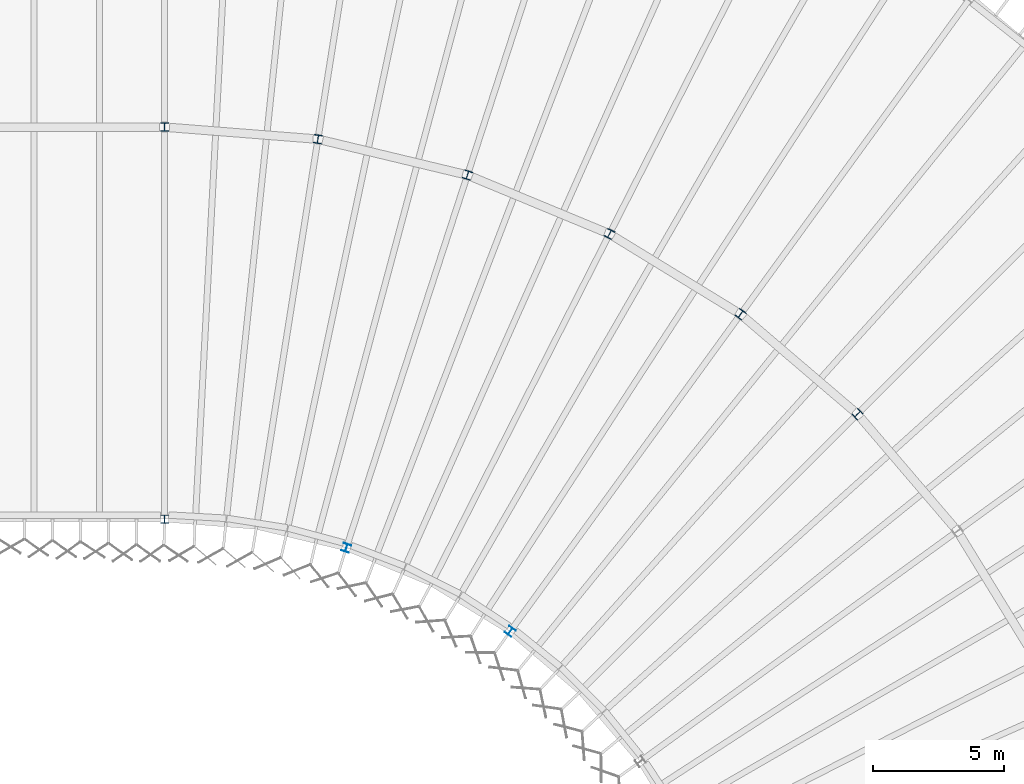
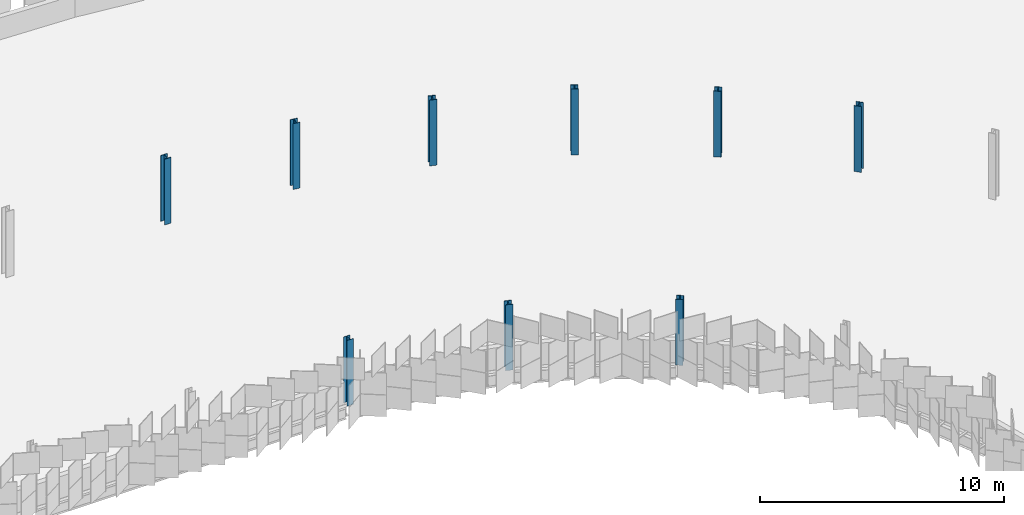
# One storey, part 21 of 198: 9 columns.
"""IFC4 building model written with IfcOpenShell, lengths in metres."""

from ifc_helpers import new_model, si_unit, direction, frame, origin, origin_2d, place, context, subcontext, project, spatial, i_section, extrude, material, material_profile, profile_set, type_object, element, save


model = new_model("IFC4")

# Units and contexts
model_context = context("Model", 3, precision=1e-05, world=origin(), true_north=direction((0.0, 1.0)))
body_context = subcontext(model_context, "Body", "Model", "MODEL_VIEW")
ifc_project = project(units=[si_unit("LENGTHUNIT", "METRE"), si_unit("AREAUNIT", "SQUARE_METRE"), si_unit("VOLUMEUNIT", "CUBIC_METRE"), si_unit("PLANEANGLEUNIT", "RADIAN"), si_unit("MASSUNIT", "GRAM", prefix="KILO")], contexts=[model_context])

# Site, building, storey
site_placement = place(None, origin())
site = spatial("IfcSite", under=ifc_project, at=site_placement, CompositionType="ELEMENT")
building_placement = place(site_placement, origin())
building = spatial("IfcBuilding", under=site, at=building_placement, Name="Parallax Yard Mobility Hub", CompositionType="ELEMENT")
storey_placement = place(building_placement, frame((0.0, 0.0, 6.60009765625)))
storey = spatial("IfcBuildingStorey", under=building, at=storey_placement, Name="L02", CompositionType="ELEMENT", Elevation=6.60009765625)

# Columns
ifc_material = material(Name="Steel ASTM A992", Category="steel")
ifc_material_profile_1 = material_profile(ifc_material, i_section(OverallWidth=0.31005859375, OverallDepth=0.327880859375, WebThickness=0.015380859375, FlangeThickness=0.025146484375, FilletRadius=0.015380859375, at=origin_2d()), Name="W310x158")
ifc_profile_set_1 = profile_set([ifc_material_profile_1], Name="Steel ASTM A992")
column_type_1 = type_object("IfcColumnType", Name="W310x158 column", PredefinedType="COLUMN", material=ifc_profile_set_1)
for number, where, z_axis, x_axis, name in (
    (1, (172.5, 127.5, 0.0), (0.0, 0.0, 1.0), (1.0, 0.0, 0.0), "Column C6 level L02 at T/24 of ramped parking decks"),
    (2, (178.3662109375, 127.038330078125, 0.0), (0.0, 0.0, 1.0), (-0.987688340595, 0.15643446504, 0.0), "Column C6 level L02 at RB/R1 of ramped parking decks"),
    (3, (184.088134765625, 125.66455078125, 0.0), (0.0, 0.0, 1.0), (-0.951056516295, 0.309016994375, 0.0), "Column C6 level L02 at RB/R2 of ramped parking decks"),
    (4, (189.524658203125, 123.41259765625, 0.0), (0.0, 0.0, 1.0), (-0.891006524188, 0.45399049974, 0.0), "Column C6 level L02 at RB/R3 of ramped parking decks"),
    (5, (194.5419921875, 120.338134765625, 0.0), (0.0, 0.0, 1.0), (-0.809016994375, 0.587785252292, 0.0), "Column C6 level L02 at RB/R4 of ramped parking decks"),
    (6, (199.0166015625, 116.5166015625, 0.0), (0.0, 0.0, 1.0), (-0.707106781187, 0.707106781187, 0.0), "Column C6 level L02 at RB/R5 of ramped parking decks"),
):
    element("IfcColumn", number, at=place(storey_placement, frame(where, z_axis=z_axis, x_axis=x_axis)), inside=storey, type_object=column_type_1, Name=name, PredefinedType="COLUMN", context=body_context, shape_type="SweptSolid", body=[
        extrude(i_section(OverallWidth=0.31005859375, OverallDepth=0.327880859375, WebThickness=0.015380859375, FlangeThickness=0.025146484375, FilletRadius=0.015380859375, at=origin_2d()), origin(), (0.0, 0.0, 1.0), 3.2998046875),
    ])
ifc_material_profile_2 = material_profile(ifc_material, i_section(OverallWidth=0.304931640625, OverallDepth=0.306884765625, WebThickness=0.010009765625, FlangeThickness=0.015380859375, FilletRadius=0.01513671875, at=origin_2d()), Name="W310x97")
ifc_profile_set_2 = profile_set([ifc_material_profile_2], Name="Steel ASTM A992")
column_type_2 = type_object("IfcColumnType", Name="W310x97 column", PredefinedType="COLUMN", material=ifc_profile_set_2)
for number, where, z_axis, x_axis, name in (
    (7, (172.5, 112.5, 0.0), (0.0, 0.0, 1.0), (1.0, 0.0, 0.0), "Column C1 level L02 at R/24 of ramped parking decks"),
    (8, (179.452880859375, 111.398681640625, 0.0), (0.0, 0.0, 1.0), (-0.951056516295, 0.309016994375, 0.0), "Column C1 level L02 at RA/R2 of ramped parking decks"),
    (9, (185.72509765625, 108.202880859375, 0.0), (0.0, 0.0, 1.0), (-0.809016994375, 0.587785252292, 0.0), "Column C1 level L02 at RA/R4 of ramped parking decks"),
):
    element("IfcColumn", number, at=place(storey_placement, frame(where, z_axis=z_axis, x_axis=x_axis)), inside=storey, type_object=column_type_2, Name=name, PredefinedType="COLUMN", context=body_context, shape_type="SweptSolid", body=[
        extrude(i_section(OverallWidth=0.304931640625, OverallDepth=0.306884765625, WebThickness=0.010009765625, FlangeThickness=0.015380859375, FilletRadius=0.01513671875, at=origin_2d()), origin(), (0.0, 0.0, 1.0), 3.2998046875),
    ])

save(model, "model.ifc")
